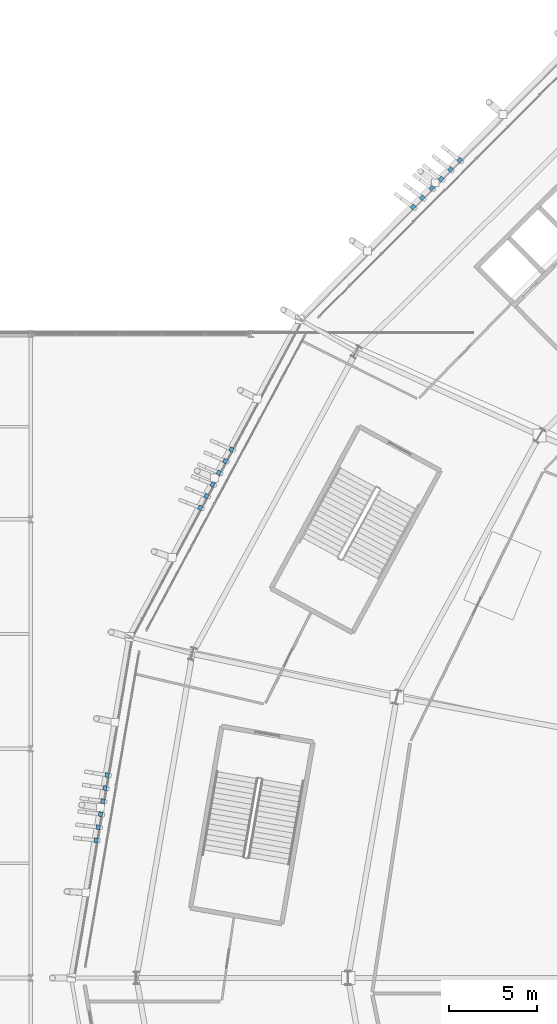
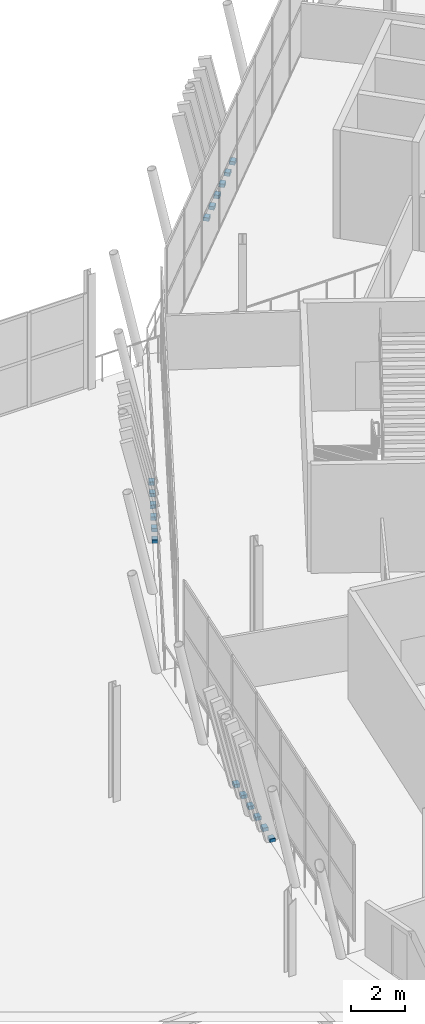
# One storey, part 134 of 168: 18 discrete accessories.
"""IFC4 building model written with IfcOpenShell, lengths in metres."""

from ifc_helpers import new_model, si_unit, direction, frame, origin, origin_2d, place, context, subcontext, project, spatial, rectangle, extrude, material, type_object, element, save


model = new_model("IFC4")

# Units and contexts
model_context = context("Model", 3, precision=1e-05, world=origin(), true_north=direction((0.0, 1.0)))
body_context = subcontext(model_context, "Body", "Model", "MODEL_VIEW")
ifc_project = project(units=[si_unit("LENGTHUNIT", "METRE"), si_unit("AREAUNIT", "SQUARE_METRE"), si_unit("VOLUMEUNIT", "CUBIC_METRE"), si_unit("PLANEANGLEUNIT", "RADIAN"), si_unit("MASSUNIT", "GRAM", prefix="KILO")], contexts=[model_context])

# Site, building, storey
site_placement = place(None, origin())
site = spatial("IfcSite", under=ifc_project, at=site_placement, CompositionType="ELEMENT")
building_placement = place(site_placement, origin())
building = spatial("IfcBuilding", under=site, at=building_placement, Name="Zlatoyarsky Gate Stadium", CompositionType="ELEMENT")
storey_placement = place(building_placement, frame((0.0, 0.0, 15.60009765625)))
storey = spatial("IfcBuildingStorey", under=building, at=storey_placement, Name="L03", CompositionType="ELEMENT", Elevation=15.60009765625)

# Discrete accessories
ifc_material = material(Name="Steel S355", Category="steel")
discrete_accessory_type = type_object("IfcDiscreteAccessoryType", Name="STEEL LOUVRE ANCHOR BRACKET 260X220X160", PredefinedType="BRACKET", material=ifc_material)
for number, where, z_axis, x_axis, name in (
    (1, (36.32177734375, 126.36865234375, -0.02001953125), (0.0, 0.0, 1.0), (-0.704814912605, -0.709391245343, 0.0), "Louvre anchor bracket L03-09-1"),
    (2, (35.793212890625, 125.836669921875, -0.02001953125), (0.0, 0.0, 1.0), (-0.704814912605, -0.709391245343, 0.0), "Louvre anchor bracket L03-09-2"),
    (3, (35.2646484375, 125.304443359375, -0.02001953125), (0.0, 0.0, 1.0), (-0.704814912605, -0.709391245343, 0.0), "Louvre anchor bracket L03-09-3"),
    (4, (34.73583984375, 124.7724609375, -0.02001953125), (0.0, 0.0, 1.0), (-0.704814912605, -0.709391245343, 0.0), "Louvre anchor bracket L03-09-4"),
    (5, (34.207275390625, 124.240478515625, -0.02001953125), (0.0, 0.0, 1.0), (-0.704814912605, -0.709391245343, 0.0), "Louvre anchor bracket L03-09-5"),
    (6, (33.6787109375, 123.70849609375, -0.02001953125), (0.0, 0.0, 1.0), (-0.704814912605, -0.709391245343, 0.0), "Louvre anchor bracket L03-09-6"),
    (7, (23.382568359375, 109.964599609375, -0.02001953125), (0.0, 0.0, 1.0), (-0.472642994374, -0.881253992825, 0.0), "Louvre anchor bracket L03-10-1"),
    (8, (23.028076171875, 109.3037109375, -0.02001953125), (0.0, 0.0, 1.0), (-0.472642994374, -0.881253992825, 0.0), "Louvre anchor bracket L03-10-2"),
    (9, (22.673583984375, 108.642822265625, -0.02001953125), (0.0, 0.0, 1.0), (-0.472642994374, -0.881253992825, 0.0), "Louvre anchor bracket L03-10-3"),
    (10, (22.319091796875, 107.98193359375, -0.02001953125), (0.0, 0.0, 1.0), (-0.472642994374, -0.881253992825, 0.0), "Louvre anchor bracket L03-10-4"),
    (11, (21.964599609375, 107.32080078125, -0.02001953125), (0.0, 0.0, 1.0), (-0.472642994374, -0.881253992825, 0.0), "Louvre anchor bracket L03-10-5"),
    (12, (21.610107421875, 106.659912109375, -0.02001953125), (0.0, 0.0, 1.0), (-0.472642994374, -0.881253992825, 0.0), "Louvre anchor bracket L03-10-6"),
    (13, (16.339111328125, 91.505126953125, -0.02001953125), (0.0, 0.0, 1.0), (-0.168041345134, -0.985779948227, 0.0), "Louvre anchor bracket L03-11-1"),
    (14, (16.212890625, 90.765869140625, -0.02001953125), (0.0, 0.0, 1.0), (-0.168041345134, -0.985779948227, 0.0), "Louvre anchor bracket L03-11-2"),
    (15, (16.0869140625, 90.026611328125, -0.02001953125), (0.0, 0.0, 1.0), (-0.168041345134, -0.985779948227, 0.0), "Louvre anchor bracket L03-11-3"),
    (16, (15.9609375, 89.287109375, -0.02001953125), (0.0, 0.0, 1.0), (-0.168041345134, -0.985779948227, 0.0), "Louvre anchor bracket L03-11-4"),
    (17, (15.8349609375, 88.5478515625, -0.02001953125), (0.0, 0.0, 1.0), (-0.168041345134, -0.985779948227, 0.0), "Louvre anchor bracket L03-11-5"),
    (18, (15.708984375, 87.80859375, -0.02001953125), (0.0, 0.0, 1.0), (-0.168041345134, -0.985779948227, 0.0), "Louvre anchor bracket L03-11-6"),
):
    element("IfcDiscreteAccessory", number, at=place(storey_placement, frame(where, z_axis=z_axis, x_axis=x_axis)), inside=storey, type_object=discrete_accessory_type, Name=name, PredefinedType="BRACKET", context=body_context, shape_type="SweptSolid", body=[
        extrude(rectangle(XDim=0.260009765625, YDim=0.219970703125, at=origin_2d()), origin(), (0.0, 0.0, 1.0), 0.159912109375),
    ])

save(model, "model.ifc")
